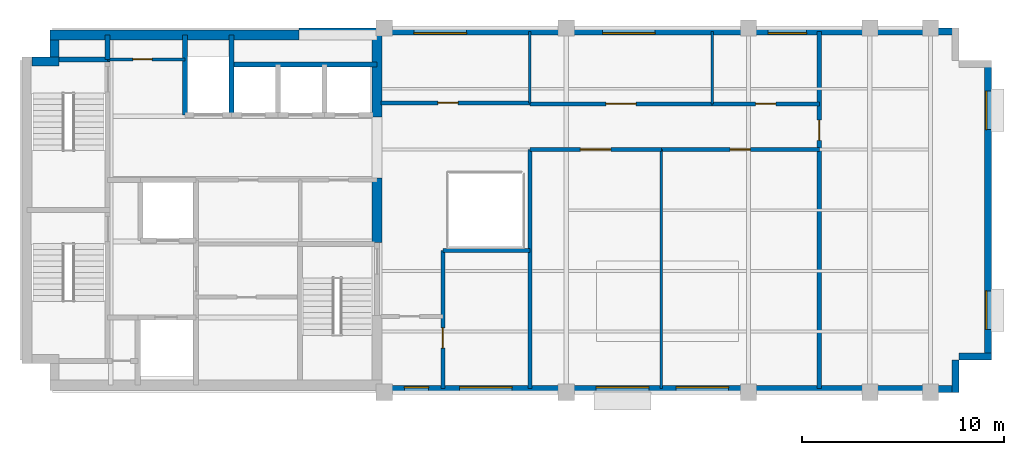
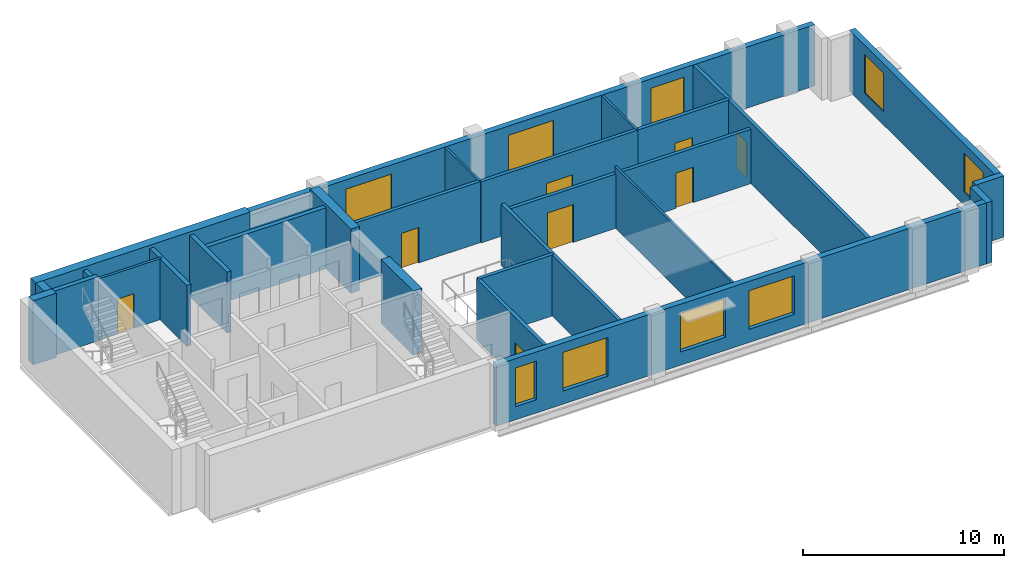
# One storey, part 3 of 5: 28 walls, 9 windows, 8 doors, 17 openings.
"""IFC4 building model written with IfcOpenShell, lengths in metres."""

from ifc_helpers import new_model, si_unit, direction, frame, frame_2d, origin, place, context, subcontext, project, spatial, rectangle, extrude, material, layer, layer_set, type_object, element, fill, save


model = new_model("IFC4")

# Units and contexts
model_context = context("Model", 3, precision=1e-05, world=origin(), true_north=direction((0.0, 1.0)))
body_context = subcontext(model_context, "Body", "Model", "MODEL_VIEW")
ifc_project = project(units=[si_unit("LENGTHUNIT", "METRE"), si_unit("AREAUNIT", "SQUARE_METRE"), si_unit("VOLUMEUNIT", "CUBIC_METRE"), si_unit("PLANEANGLEUNIT", "RADIAN"), si_unit("MASSUNIT", "GRAM", prefix="KILO")], contexts=[model_context])

# Site, building, storey
site_placement = place(None, origin())
site = spatial("IfcSite", under=ifc_project, at=site_placement, CompositionType="ELEMENT")
building_placement = place(site_placement, origin())
building = spatial("IfcBuilding", under=site, at=building_placement, Name="Mawjdan Bourse Tower", CompositionType="ELEMENT")
storey_placement = place(building_placement, frame((0.0, 0.0, 270.300048828125)))
storey = spatial("IfcBuildingStorey", under=building, at=storey_placement, Name="L66", CompositionType="ELEMENT", Elevation=270.300048828125)

# Wall, openings, windows
ifc_material_1 = material(Name="Brick Masonry Buff", Category="masonry")
ifc_layer_1 = layer(ifc_material_1, 0.340087890625)
ifc_layer_set_1 = layer_set([ifc_layer_1], Name="Brick Masonry Buff")
wall_type_1 = type_object("IfcWallType", Name="WL-BRK-SPN-340", PredefinedType="STANDARD", material=ifc_layer_set_1)
wall_1_placement = place(storey_placement, frame((23.89990234375, 3.169921875, 0.0), z_axis=(0.0, 0.0, 1.0), x_axis=(1.0, 0.0, 0.0)))
wall_1 = element("IfcWall", 1, at=wall_1_placement, inside=storey, type_object=wall_type_1, Name="L66 Exterior Brick Wall 1", PredefinedType="STANDARD", context=body_context, shape_type="SweptSolid", body=[
    extrude(rectangle(XDim=28.5, YDim=0.340087890625, at=frame_2d((14.25, 0.0))), origin(), (0.0, 0.0, 1.0), 3.71484375),
])
opening_1_placement = place(wall_1_placement, frame((10.574951171875, 0.0, 0.800048828125)))
opening_1 = element("IfcOpeningElement", 2, at=opening_1_placement, cuts=wall_1, Name="Opening W-L66-01", PredefinedType="OPENING", context=body_context, shape_type="SweptSolid", body=[
    extrude(rectangle(XDim=2.60009765625, YDim=2.35009765625, at=frame_2d((1.300048828125, 1.175048828125))), frame((0.0, 0.18017578125, 0.0), z_axis=(0.0, -1.0, 0.0), x_axis=(1.0, 0.0, 0.0)), (0.0, 0.0, 1.0), 0.360107421875),
])
opening_2_placement = place(wall_1_placement, frame((1.10009765625, 0.0, 0.800048828125)))
opening_2 = element("IfcOpeningElement", 3, at=opening_2_placement, cuts=wall_1, Name="Opening W-L66-06", PredefinedType="OPENING", context=body_context, shape_type="SweptSolid", body=[
    extrude(rectangle(XDim=1.199951171875, YDim=2.35009765625, at=frame_2d((0.60009765625, 1.175048828125))), frame((0.0, 0.18017578125, 0.0), z_axis=(0.0, -1.0, 0.0), x_axis=(1.0, 0.0, 0.0)), (0.0, 0.0, 1.0), 0.360107421875),
])
opening_3_placement = place(wall_1_placement, frame((3.82568359375, 0.0, 0.800048828125)))
opening_3 = element("IfcOpeningElement", 4, at=opening_3_placement, cuts=wall_1, Name="Opening W-L66-07", PredefinedType="OPENING", context=body_context, shape_type="SweptSolid", body=[
    extrude(rectangle(XDim=2.60009765625, YDim=2.35009765625, at=frame_2d((1.300048828125, 1.175048828125))), frame((0.0, 0.18017578125, 0.0), z_axis=(0.0, -1.0, 0.0), x_axis=(1.0, 0.0, 0.0)), (0.0, 0.0, 1.0), 0.360107421875),
])
opening_4_placement = place(wall_1_placement, frame((14.52490234375, 0.0, 0.800048828125)))
opening_4 = element("IfcOpeningElement", 5, at=opening_4_placement, cuts=wall_1, Name="Opening W-L66-08", PredefinedType="OPENING", context=body_context, shape_type="SweptSolid", body=[
    extrude(rectangle(XDim=2.60009765625, YDim=2.35009765625, at=frame_2d((1.300048828125, 1.175048828125))), frame((0.0, 0.18017578125, 0.0), z_axis=(0.0, -1.0, 0.0), x_axis=(1.0, 0.0, 0.0)), (0.0, 0.0, 1.0), 0.360107421875),
])
ifc_material_2 = material(Name="Solar-Control Clear Double Glazing", Category="glass")
window_type_1 = type_object("IfcWindowType", Name="WN-SMT-1200", PartitioningType="SINGLE_PANEL", PredefinedType="WINDOW", material=ifc_material_2)
window_1_placement = place(opening_2_placement, origin())
window_1 = element("IfcWindow", 6, at=window_1_placement, inside=storey, type_object=window_type_1, Name="L66 Deep-Set Masonry Window W-L66-06", OverallHeight=2.35009765625, OverallWidth=1.199951171875, PartitioningType="SINGLE_PANEL", PredefinedType="WINDOW", context=body_context, shape_type="SweptSolid", body=[
    extrude(rectangle(XDim=1.199951171875, YDim=2.35009765625, at=frame_2d((0.60009765625, 1.175048828125))), frame((0.0, 0.110107421875, 0.0), z_axis=(0.0, -1.0, 0.0), x_axis=(1.0, 0.0, 0.0)), (0.0, 0.0, 1.0), 0.06005859375),
])
fill(opening_2, window_1)
window_type_2 = type_object("IfcWindowType", Name="WN-SMT-2600", PartitioningType="SINGLE_PANEL", PredefinedType="WINDOW", material=ifc_material_2)
window_2_placement = place(opening_1_placement, origin())
window_2 = element("IfcWindow", 7, at=window_2_placement, inside=storey, type_object=window_type_2, Name="L66 Deep-Set Masonry Window W-L66-01", OverallHeight=2.35009765625, OverallWidth=2.60009765625, PartitioningType="SINGLE_PANEL", PredefinedType="WINDOW", context=body_context, shape_type="SweptSolid", body=[
    extrude(rectangle(XDim=2.60009765625, YDim=2.35009765625, at=frame_2d((1.300048828125, 1.175048828125))), frame((0.0, 0.110107421875, 0.0), z_axis=(0.0, -1.0, 0.0), x_axis=(1.0, 0.0, 0.0)), (0.0, 0.0, 1.0), 0.06005859375),
])
fill(opening_1, window_2)
window_3_placement = place(opening_3_placement, origin())
window_3 = element("IfcWindow", 8, at=window_3_placement, inside=storey, type_object=window_type_2, Name="L66 Deep-Set Masonry Window W-L66-07", OverallHeight=2.35009765625, OverallWidth=2.60009765625, PartitioningType="SINGLE_PANEL", PredefinedType="WINDOW", context=body_context, shape_type="SweptSolid", body=[
    extrude(rectangle(XDim=2.60009765625, YDim=2.35009765625, at=frame_2d((1.300048828125, 1.175048828125))), frame((0.0, 0.110107421875, 0.0), z_axis=(0.0, -1.0, 0.0), x_axis=(1.0, 0.0, 0.0)), (0.0, 0.0, 1.0), 0.06005859375),
])
fill(opening_3, window_3)
window_4_placement = place(opening_4_placement, origin())
window_4 = element("IfcWindow", 9, at=window_4_placement, inside=storey, type_object=window_type_2, Name="L66 Deep-Set Masonry Window W-L66-08", OverallHeight=2.35009765625, OverallWidth=2.60009765625, PartitioningType="SINGLE_PANEL", PredefinedType="WINDOW", context=body_context, shape_type="SweptSolid", body=[
    extrude(rectangle(XDim=2.60009765625, YDim=2.35009765625, at=frame_2d((1.300048828125, 1.175048828125))), frame((0.0, 0.110107421875, 0.0), z_axis=(0.0, -1.0, 0.0), x_axis=(1.0, 0.0, 0.0)), (0.0, 0.0, 1.0), 0.06005859375),
])
fill(opening_4, window_4)

# Walls
for number, where, z_axis, x_axis, name in (
    (10, (52.22998046875, 3.0, 0.0), (0.0, 0.0, 1.0), (0.0, 1.0, 0.0), "L66 Exterior Brick Wall 2"),
    (11, (52.39990234375, 4.77001953125, 0.0), (0.0, 0.0, 1.0), (1.0, 0.0, 0.0), "L66 Exterior Brick Wall 3"),
):
    element("IfcWall", number, at=place(storey_placement, frame(where, z_axis=z_axis, x_axis=x_axis)), inside=storey, type_object=wall_type_1, Name=name, PredefinedType="STANDARD", context=body_context, shape_type="SweptSolid", body=[
        extrude(rectangle(XDim=1.60009765625, YDim=0.340087890625, at=frame_2d((0.800048828125, 0.0))), origin(), (0.0, 0.0, 1.0), 3.71484375),
    ])

# Wall, openings, windows
wall_2_placement = place(storey_placement, frame((53.830078125, 4.60009765625, 0.0), z_axis=(0.0, 0.0, 1.0), x_axis=(0.0, 1.0, 0.0)))
wall_2 = element("IfcWall", 12, at=wall_2_placement, inside=storey, type_object=wall_type_1, Name="L66 Exterior Brick Wall 4", PredefinedType="STANDARD", context=body_context, shape_type="SweptSolid", body=[
    extrude(rectangle(XDim=14.7998046875, YDim=0.340087890625, at=frame_2d((7.39990234375, 0.0))), origin(), (0.0, 0.0, 1.0), 3.71484375),
])
opening_5_placement = place(wall_2_placement, frame((1.5166015625, 0.0, 0.800048828125)))
opening_5 = element("IfcOpeningElement", 13, at=opening_5_placement, cuts=wall_2, Name="Opening W-L66-02", PredefinedType="OPENING", context=body_context, shape_type="SweptSolid", body=[
    extrude(rectangle(XDim=1.89990234375, YDim=2.35009765625, at=frame_2d((0.949951171875, 1.175048828125))), frame((0.0, 0.18017578125, 0.0), z_axis=(0.0, -1.0, 0.0), x_axis=(1.0, 0.0, 0.0)), (0.0, 0.0, 1.0), 0.360107421875),
])
opening_6_placement = place(wall_2_placement, frame((11.38330078125, 0.0, 0.800048828125)))
opening_6 = element("IfcOpeningElement", 14, at=opening_6_placement, cuts=wall_2, Name="Opening W-L66-03", PredefinedType="OPENING", context=body_context, shape_type="SweptSolid", body=[
    extrude(rectangle(XDim=1.89990234375, YDim=2.35009765625, at=frame_2d((0.949951171875, 1.175048828125))), frame((0.0, 0.18017578125, 0.0), z_axis=(0.0, -1.0, 0.0), x_axis=(1.0, 0.0, 0.0)), (0.0, 0.0, 1.0), 0.360107421875),
])
window_type_3 = type_object("IfcWindowType", Name="WN-SMT-1900", PartitioningType="SINGLE_PANEL", PredefinedType="WINDOW", material=ifc_material_2)
window_5_placement = place(opening_5_placement, origin())
window_5 = element("IfcWindow", 15, at=window_5_placement, inside=storey, type_object=window_type_3, Name="L66 Deep-Set Masonry Window W-L66-02", OverallHeight=2.35009765625, OverallWidth=1.89990234375, PartitioningType="SINGLE_PANEL", PredefinedType="WINDOW", context=body_context, shape_type="SweptSolid", body=[
    extrude(rectangle(XDim=1.89990234375, YDim=2.35009765625, at=frame_2d((0.949951171875, 1.175048828125))), frame((0.0, 0.110107421875, 0.0), z_axis=(0.0, -1.0, 0.0), x_axis=(1.0, 0.0, 0.0)), (0.0, 0.0, 1.0), 0.06005859375),
])
fill(opening_5, window_5)
window_6_placement = place(opening_6_placement, origin())
window_6 = element("IfcWindow", 16, at=window_6_placement, inside=storey, type_object=window_type_3, Name="L66 Deep-Set Masonry Window W-L66-03", OverallHeight=2.35009765625, OverallWidth=1.89990234375, PartitioningType="SINGLE_PANEL", PredefinedType="WINDOW", context=body_context, shape_type="SweptSolid", body=[
    extrude(rectangle(XDim=1.89990234375, YDim=2.35009765625, at=frame_2d((0.949951171875, 1.175048828125))), frame((0.0, 0.110107421875, 0.0), z_axis=(0.0, -1.0, 0.0), x_axis=(1.0, 0.0, 0.0)), (0.0, 0.0, 1.0), 0.06005859375),
])
fill(opening_6, window_6)

wall_3_placement = place(storey_placement, frame((52.39990234375, 20.830078125, 0.0), z_axis=(0.0, 0.0, 1.0), x_axis=(-1.0, 0.0, 0.0)))
wall_3 = element("IfcWall", 17, at=wall_3_placement, inside=storey, type_object=wall_type_1, Name="L66 Exterior Brick Wall 7", PredefinedType="STANDARD", context=body_context, shape_type="SweptSolid", body=[
    extrude(rectangle(XDim=32.619873046875, YDim=0.340087890625, at=frame_2d((16.31005859375, 0.0))), origin(), (0.0, 0.0, 1.0), 3.71484375),
])
opening_7_placement = place(wall_3_placement, frame((15.010009765625, 0.0, 0.800048828125)))
opening_7 = element("IfcOpeningElement", 18, at=opening_7_placement, cuts=wall_3, Name="Opening W-L66-04", PredefinedType="OPENING", context=body_context, shape_type="SweptSolid", body=[
    extrude(rectangle(XDim=2.60009765625, YDim=2.35009765625, at=frame_2d((1.300048828125, 1.175048828125))), frame((0.0, 0.18017578125, 0.0), z_axis=(0.0, -1.0, 0.0), x_axis=(1.0, 0.0, 0.0)), (0.0, 0.0, 1.0), 0.360107421875),
])
opening_8_placement = place(wall_3_placement, frame((24.330078125, 0.0, 0.800048828125)))
opening_8 = element("IfcOpeningElement", 19, at=opening_8_placement, cuts=wall_3, Name="Opening W-L66-05", PredefinedType="OPENING", context=body_context, shape_type="SweptSolid", body=[
    extrude(rectangle(XDim=2.60009765625, YDim=2.35009765625, at=frame_2d((1.300048828125, 1.175048828125))), frame((0.0, 0.18017578125, 0.0), z_axis=(0.0, -1.0, 0.0), x_axis=(1.0, 0.0, 0.0)), (0.0, 0.0, 1.0), 0.360107421875),
])
opening_9_placement = place(wall_3_placement, frame((7.52490234375, 0.0, 0.800048828125)))
opening_9 = element("IfcOpeningElement", 20, at=opening_9_placement, cuts=wall_3, Name="Opening W-L66-09", PredefinedType="OPENING", context=body_context, shape_type="SweptSolid", body=[
    extrude(rectangle(XDim=1.89990234375, YDim=2.35009765625, at=frame_2d((0.949951171875, 1.175048828125))), frame((0.0, 0.18017578125, 0.0), z_axis=(0.0, -1.0, 0.0), x_axis=(1.0, 0.0, 0.0)), (0.0, 0.0, 1.0), 0.360107421875),
])
window_7_placement = place(opening_9_placement, origin())
window_7 = element("IfcWindow", 21, at=window_7_placement, inside=storey, type_object=window_type_3, Name="L66 Deep-Set Masonry Window W-L66-09", OverallHeight=2.35009765625, OverallWidth=1.89990234375, PartitioningType="SINGLE_PANEL", PredefinedType="WINDOW", context=body_context, shape_type="SweptSolid", body=[
    extrude(rectangle(XDim=1.89990234375, YDim=2.35009765625, at=frame_2d((0.949951171875, 1.175048828125))), frame((0.0, 0.110107421875, 0.0), z_axis=(0.0, -1.0, 0.0), x_axis=(1.0, 0.0, 0.0)), (0.0, 0.0, 1.0), 0.06005859375),
])
fill(opening_9, window_7)
window_8_placement = place(opening_7_placement, origin())
window_8 = element("IfcWindow", 22, at=window_8_placement, inside=storey, type_object=window_type_2, Name="L66 Deep-Set Masonry Window W-L66-04", OverallHeight=2.35009765625, OverallWidth=2.60009765625, PartitioningType="SINGLE_PANEL", PredefinedType="WINDOW", context=body_context, shape_type="SweptSolid", body=[
    extrude(rectangle(XDim=2.60009765625, YDim=2.35009765625, at=frame_2d((1.300048828125, 1.175048828125))), frame((0.0, 0.110107421875, 0.0), z_axis=(0.0, -1.0, 0.0), x_axis=(1.0, 0.0, 0.0)), (0.0, 0.0, 1.0), 0.06005859375),
])
fill(opening_7, window_8)
window_9_placement = place(opening_8_placement, origin())
window_9 = element("IfcWindow", 23, at=window_9_placement, inside=storey, type_object=window_type_2, Name="L66 Deep-Set Masonry Window W-L66-05", OverallHeight=2.35009765625, OverallWidth=2.60009765625, PartitioningType="SINGLE_PANEL", PredefinedType="WINDOW", context=body_context, shape_type="SweptSolid", body=[
    extrude(rectangle(XDim=2.60009765625, YDim=2.35009765625, at=frame_2d((1.300048828125, 1.175048828125))), frame((0.0, 0.110107421875, 0.0), z_axis=(0.0, -1.0, 0.0), x_axis=(1.0, 0.0, 0.0)), (0.0, 0.0, 1.0), 0.06005859375),
])
fill(opening_8, window_9)

# Wall, opening, door
ifc_material_3 = material(Name="Gypsum Fireboard Assembly")
ifc_layer_2 = layer(ifc_material_3, 0.199951171875)
ifc_layer_set_2 = layer_set([ifc_layer_2], Name="Gypsum Fireboard Assembly")
wall_type_2 = type_object("IfcWallType", Name="WL-CMP-200", PredefinedType="PARTITIONING", material=ifc_layer_set_2)
wall_4_placement = place(storey_placement, frame((26.89990234375, 3.179931640625, 0.0), z_axis=(0.0, 0.0, 1.0), x_axis=(0.0, 1.0, 0.0)))
wall_4 = element("IfcWall", 24, at=wall_4_placement, inside=storey, type_object=wall_type_2, Name="L66 Summit South Atrium Suite West Wall", PredefinedType="PARTITIONING", context=body_context, shape_type="SweptSolid", body=[
    extrude(rectangle(XDim=6.820068359375, YDim=0.199951171875, at=frame_2d((3.41015625, 0.0))), origin(), (0.0, 0.0, 1.0), 3.704833984375),
])
opening_10_placement = place(wall_4_placement, frame((2.0, 0.0, 0.0)))
opening_10 = element("IfcOpeningElement", 25, at=opening_10_placement, cuts=wall_4, Name="Opening D-L66-18", PredefinedType="OPENING", context=body_context, shape_type="SweptSolid", body=[
    extrude(rectangle(XDim=1.0, YDim=2.14990234375, at=frame_2d((0.5, 1.074951171875))), frame((0.0, 0.10986328125, 0.0), z_axis=(0.0, -1.0, 0.0), x_axis=(1.0, 0.0, 0.0)), (0.0, 0.0, 1.0), 0.219970703125),
])
ifc_material_4 = material(Name="Hardwood Acoustic Leaf", Category="wood")
door_type_1 = type_object("IfcDoorType", Name="DR-OFC-1000", OperationType="NOTDEFINED", PredefinedType="DOOR", material=ifc_material_4)
door_1_placement = place(opening_10_placement, origin())
door_1 = element("IfcDoor", 26, at=door_1_placement, inside=storey, type_object=door_type_1, Name="L66 Summit South Atrium Suite Door D-L66-18", OperationType="SINGLE_SWING_RIGHT", OverallHeight=2.14990234375, OverallWidth=1.0, PredefinedType="DOOR", context=body_context, shape_type="SweptSolid", body=[
    extrude(rectangle(XDim=1.0, YDim=2.14990234375, at=frame_2d((0.5, 1.074951171875))), frame((0.0, 0.02490234375, 0.0), z_axis=(0.0, -1.0, 0.0), x_axis=(1.0, 0.0, 0.0)), (0.0, 0.0, 1.0), 0.050048828125),
])
fill(opening_10, door_1)

# Walls
wall_5_placement = place(storey_placement, frame((26.89990234375, 10.0, 0.0), z_axis=(0.0, 0.0, 1.0), x_axis=(1.0, 0.0, 0.0)))
element("IfcWall", 27, at=wall_5_placement, inside=storey, type_object=wall_type_2, Name="L66 Summit South Atrium Suite North Wall", PredefinedType="PARTITIONING", context=body_context, shape_type="SweptSolid", body=[
    extrude(rectangle(XDim=4.300048828125, YDim=0.199951171875, at=frame_2d((2.14990234375, 0.0))), origin(), (0.0, 0.0, 1.0), 3.704833984375),
])
wall_6_placement = place(storey_placement, frame((31.199951171875, 3.179931640625, 0.0), z_axis=(0.0, 0.0, 1.0), x_axis=(0.0, 1.0, 0.0)))
element("IfcWall", 28, at=wall_6_placement, inside=storey, type_object=wall_type_2, Name="L66 Summit South Atrium Suite East Wall", PredefinedType="PARTITIONING", context=body_context, shape_type="SweptSolid", body=[
    extrude(rectangle(XDim=11.820068359375, YDim=0.199951171875, at=frame_2d((5.91015625, 0.0))), origin(), (0.0, 0.0, 1.0), 3.704833984375),
])

# Wall, opening, door
wall_7_placement = place(storey_placement, frame((23.85009765625, 17.300048828125, 0.0), z_axis=(0.0, 0.0, 1.0), x_axis=(1.0, 0.0, 0.0)))
wall_7 = element("IfcWall", 29, at=wall_7_placement, inside=storey, type_object=wall_type_2, Name="L66 Summit Throat North Wall", PredefinedType="PARTITIONING", context=body_context, shape_type="SweptSolid", body=[
    extrude(rectangle(XDim=7.349853515625, YDim=0.199951171875, at=frame_2d((3.6748046875, 0.0))), origin(), (0.0, 0.0, 1.0), 3.704833984375),
])
opening_11_placement = place(wall_7_placement, frame((2.800048828125, 0.0, 0.0)))
opening_11 = element("IfcOpeningElement", 30, at=opening_11_placement, cuts=wall_7, Name="Opening D-L66-19", PredefinedType="OPENING", context=body_context, shape_type="SweptSolid", body=[
    extrude(rectangle(XDim=1.0, YDim=2.14990234375, at=frame_2d((0.5, 1.074951171875))), frame((0.0, 0.10986328125, 0.0), z_axis=(0.0, -1.0, 0.0), x_axis=(1.0, 0.0, 0.0)), (0.0, 0.0, 1.0), 0.219970703125),
])
door_2_placement = place(opening_11_placement, origin())
door_2 = element("IfcDoor", 31, at=door_2_placement, inside=storey, type_object=door_type_1, Name="L66 Summit Throat North Room Door D-L66-19", OperationType="SINGLE_SWING_LEFT", OverallHeight=2.14990234375, OverallWidth=1.0, PredefinedType="DOOR", context=body_context, shape_type="SweptSolid", body=[
    extrude(rectangle(XDim=1.0, YDim=2.14990234375, at=frame_2d((0.5, 1.074951171875))), frame((0.0, 0.02490234375, 0.0), z_axis=(0.0, -1.0, 0.0), x_axis=(1.0, 0.0, 0.0)), (0.0, 0.0, 1.0), 0.050048828125),
])
fill(opening_11, door_2)

wall_8_placement = place(storey_placement, frame((31.199951171875, 15.0, 0.0), z_axis=(0.0, 0.0, 1.0), x_axis=(1.0, 0.0, 0.0)))
wall_8 = element("IfcWall", 32, at=wall_8_placement, inside=storey, type_object=wall_type_2, Name="L66 Board of Governors Chamber Corridor Wall", PredefinedType="PARTITIONING", context=body_context, shape_type="SweptSolid", body=[
    extrude(rectangle(XDim=6.5, YDim=0.199951171875, at=frame_2d((3.25, 0.0))), origin(), (0.0, 0.0, 1.0), 3.301025390625),
])
opening_12_placement = place(wall_8_placement, frame((2.5, 0.0, 0.0)))
opening_12 = element("IfcOpeningElement", 33, at=opening_12_placement, cuts=wall_8, Name="Opening D-L66-20", PredefinedType="OPENING", context=body_context, shape_type="SweptSolid", body=[
    extrude(rectangle(XDim=1.5, YDim=2.300048828125, at=frame_2d((0.75, 1.14990234375))), frame((0.0, 0.10986328125, 0.0), z_axis=(0.0, -1.0, 0.0), x_axis=(1.0, 0.0, 0.0)), (0.0, 0.0, 1.0), 0.219970703125),
])
ifc_material_5 = material(Name="Acoustic Glazed Timber", Category="wood")
door_type_2 = type_object("IfcDoorType", Name="DR-CNF-1500", OperationType="DOUBLE_DOOR_SINGLE_SWING", PredefinedType="DOOR", material=ifc_material_5)
door_3_placement = place(opening_12_placement, origin())
door_3 = element("IfcDoor", 34, at=door_3_placement, inside=storey, type_object=door_type_2, Name="L66 Board of Governors Chamber Door D-L66-20", OperationType="DOUBLE_DOOR_SINGLE_SWING", OverallHeight=2.300048828125, OverallWidth=1.5, PredefinedType="DOOR", context=body_context, shape_type="SweptSolid", body=[
    extrude(rectangle(XDim=1.5, YDim=2.300048828125, at=frame_2d((0.75, 1.14990234375))), frame((0.0, 0.02490234375, 0.0), z_axis=(0.0, -1.0, 0.0), x_axis=(1.0, 0.0, 0.0)), (0.0, 0.0, 1.0), 0.050048828125),
])
fill(opening_12, door_3)

wall_9_placement = place(storey_placement, frame((37.699951171875, 15.0, 0.0), z_axis=(0.0, 0.0, 1.0), x_axis=(1.0, 0.0, 0.0)))
wall_9 = element("IfcWall", 35, at=wall_9_placement, inside=storey, type_object=wall_type_2, Name="L66 Executive Office Corridor Wall", PredefinedType="PARTITIONING", context=body_context, shape_type="SweptSolid", body=[
    extrude(rectangle(XDim=7.800048828125, YDim=0.199951171875, at=frame_2d((3.89990234375, 0.0))), origin(), (0.0, 0.0, 1.0), 3.301025390625),
])
opening_13_placement = place(wall_9_placement, frame((3.39990234375, 0.0, 0.0)))
opening_13 = element("IfcOpeningElement", 36, at=opening_13_placement, cuts=wall_9, Name="Opening D-L66-21", PredefinedType="OPENING", context=body_context, shape_type="SweptSolid", body=[
    extrude(rectangle(XDim=1.0, YDim=2.14990234375, at=frame_2d((0.5, 1.074951171875))), frame((0.0, 0.10986328125, 0.0), z_axis=(0.0, -1.0, 0.0), x_axis=(1.0, 0.0, 0.0)), (0.0, 0.0, 1.0), 0.219970703125),
])
door_4_placement = place(opening_13_placement, origin())
door_4 = element("IfcDoor", 37, at=door_4_placement, inside=storey, type_object=door_type_1, Name="L66 Executive Office Door D-L66-21", OperationType="SINGLE_SWING_RIGHT", OverallHeight=2.14990234375, OverallWidth=1.0, PredefinedType="DOOR", context=body_context, shape_type="SweptSolid", body=[
    extrude(rectangle(XDim=1.0, YDim=2.14990234375, at=frame_2d((0.5, 1.074951171875))), frame((0.0, 0.02490234375, 0.0), z_axis=(0.0, -1.0, 0.0), x_axis=(1.0, 0.0, 0.0)), (0.0, 0.0, 1.0), 0.050048828125),
])
fill(opening_13, door_4)

wall_10_placement = place(storey_placement, frame((31.199951171875, 17.25, 0.0), z_axis=(0.0, 0.0, 1.0), x_axis=(1.0, 0.0, 0.0)))
wall_10 = element("IfcWall", 38, at=wall_10_placement, inside=storey, type_object=wall_type_2, Name="L66 Conference Room Corridor Wall", PredefinedType="PARTITIONING", context=body_context, shape_type="SweptSolid", body=[
    extrude(rectangle(XDim=9.0, YDim=0.199951171875, at=frame_2d((4.5, 0.0))), origin(), (0.0, 0.0, 1.0), 3.704833984375),
])
opening_14_placement = place(wall_10_placement, frame((3.75, 0.0, 0.0)))
opening_14 = element("IfcOpeningElement", 39, at=opening_14_placement, cuts=wall_10, Name="Opening D-L66-22", PredefinedType="OPENING", context=body_context, shape_type="SweptSolid", body=[
    extrude(rectangle(XDim=1.5, YDim=2.300048828125, at=frame_2d((0.75, 1.14990234375))), frame((0.0, 0.10986328125, 0.0), z_axis=(0.0, -1.0, 0.0), x_axis=(1.0, 0.0, 0.0)), (0.0, 0.0, 1.0), 0.219970703125),
])
door_5_placement = place(opening_14_placement, origin())
door_5 = element("IfcDoor", 40, at=door_5_placement, inside=storey, type_object=door_type_2, Name="L66 Conference Room Door D-L66-22", OperationType="DOUBLE_DOOR_SINGLE_SWING", OverallHeight=2.300048828125, OverallWidth=1.5, PredefinedType="DOOR", context=body_context, shape_type="SweptSolid", body=[
    extrude(rectangle(XDim=1.5, YDim=2.300048828125, at=frame_2d((0.75, 1.14990234375))), frame((0.0, 0.02490234375, 0.0), z_axis=(0.0, -1.0, 0.0), x_axis=(1.0, 0.0, 0.0)), (0.0, 0.0, 1.0), 0.050048828125),
])
fill(opening_14, door_5)

wall_11_placement = place(storey_placement, frame((40.199951171875, 17.25, 0.0), z_axis=(0.0, 0.0, 1.0), x_axis=(1.0, 0.0, 0.0)))
wall_11 = element("IfcWall", 41, at=wall_11_placement, inside=storey, type_object=wall_type_2, Name="L66 General Counsel Office Corridor Wall", PredefinedType="PARTITIONING", context=body_context, shape_type="SweptSolid", body=[
    extrude(rectangle(XDim=5.300048828125, YDim=0.199951171875, at=frame_2d((2.64990234375, 0.0))), origin(), (0.0, 0.0, 1.0), 3.704833984375),
])
opening_15_placement = place(wall_11_placement, frame((2.14990234375, 0.0, 0.0)))
opening_15 = element("IfcOpeningElement", 42, at=opening_15_placement, cuts=wall_11, Name="Opening D-L66-23", PredefinedType="OPENING", context=body_context, shape_type="SweptSolid", body=[
    extrude(rectangle(XDim=1.0, YDim=2.14990234375, at=frame_2d((0.5, 1.074951171875))), frame((0.0, 0.10986328125, 0.0), z_axis=(0.0, -1.0, 0.0), x_axis=(1.0, 0.0, 0.0)), (0.0, 0.0, 1.0), 0.219970703125),
])
door_6_placement = place(opening_15_placement, origin())
door_6 = element("IfcDoor", 43, at=door_6_placement, inside=storey, type_object=door_type_1, Name="L66 General Counsel Office Door D-L66-23", OperationType="SINGLE_SWING_LEFT", OverallHeight=2.14990234375, OverallWidth=1.0, PredefinedType="DOOR", context=body_context, shape_type="SweptSolid", body=[
    extrude(rectangle(XDim=1.0, YDim=2.14990234375, at=frame_2d((0.5, 1.074951171875))), frame((0.0, 0.02490234375, 0.0), z_axis=(0.0, -1.0, 0.0), x_axis=(1.0, 0.0, 0.0)), (0.0, 0.0, 1.0), 0.050048828125),
])
fill(opening_15, door_6)

wall_12_placement = place(storey_placement, frame((45.5, 3.179931640625, 0.0), z_axis=(0.0, 0.0, 1.0), x_axis=(0.0, 1.0, 0.0)))
wall_12 = element("IfcWall", 44, at=wall_12_placement, inside=storey, type_object=wall_type_2, Name="L66 East Tip Full Cross Wall", PredefinedType="PARTITIONING", context=body_context, shape_type="SweptSolid", body=[
    extrude(rectangle(XDim=17.64013671875, YDim=0.199951171875, at=frame_2d((8.820068359375, 0.0))), origin(), (0.0, 0.0, 1.0), 3.704833984375),
])
opening_16_placement = place(wall_12_placement, frame((12.27490234375, 0.0, 0.0)))
opening_16 = element("IfcOpeningElement", 45, at=opening_16_placement, cuts=wall_12, Name="Opening D-L66-24", PredefinedType="OPENING", context=body_context, shape_type="SweptSolid", body=[
    extrude(rectangle(XDim=1.0, YDim=2.14990234375, at=frame_2d((0.5, 1.074951171875))), frame((0.0, 0.10986328125, 0.0), z_axis=(0.0, -1.0, 0.0), x_axis=(1.0, 0.0, 0.0)), (0.0, 0.0, 1.0), 0.219970703125),
])
door_7_placement = place(opening_16_placement, origin())
door_7 = element("IfcDoor", 46, at=door_7_placement, inside=storey, type_object=door_type_1, Name="L66 East Tip Hall Door D-L66-24", OperationType="SINGLE_SWING_RIGHT", OverallHeight=2.14990234375, OverallWidth=1.0, PredefinedType="DOOR", context=body_context, shape_type="SweptSolid", body=[
    extrude(rectangle(XDim=1.0, YDim=2.14990234375, at=frame_2d((0.5, 1.074951171875))), frame((0.0, 0.02490234375, 0.0), z_axis=(0.0, -1.0, 0.0), x_axis=(1.0, 0.0, 0.0)), (0.0, 0.0, 1.0), 0.050048828125),
])
fill(opening_16, door_7)

# Walls
ifc_material_6 = material(Name="Concrete C60/75", Category="concrete")
ifc_layer_3 = layer(ifc_material_6, 0.449951171875)
ifc_layer_set_3 = layer_set([ifc_layer_3], Name="Concrete C60/75")
wall_type_3 = type_object("IfcWallType", Name="WL-CORE-450", PredefinedType="SHEAR", material=ifc_layer_set_3)
wall_13_placement = place(storey_placement, frame((6.60009765625, 19.35009765625, 0.0), z_axis=(0.0, 0.0, 1.0), x_axis=(1.0, 0.0, 0.0)))
element("IfcWall", 47, at=wall_13_placement, inside=storey, type_object=wall_type_3, Name="L66 Rear Core Shear Wall NW-X", PredefinedType="SHEAR", context=body_context, shape_type="SweptSolid", body=[
    extrude(rectangle(XDim=1.324951171875, YDim=0.449951171875, at=frame_2d((0.66259765625, 0.0))), origin(), (0.0, 0.0, 1.0), 3.89990234375),
])
wall_14_placement = place(storey_placement, frame((7.699951171875, 19.574951171875, 0.0), z_axis=(0.0, 0.0, 1.0), x_axis=(0.0, 1.0, 0.0)))
element("IfcWall", 48, at=wall_14_placement, inside=storey, type_object=wall_type_3, Name="L66 Rear Core Shear Wall NW-Y", PredefinedType="SHEAR", context=body_context, shape_type="SweptSolid", body=[
    extrude(rectangle(XDim=0.824951171875, YDim=0.449951171875, at=frame_2d((0.41259765625, 0.0))), origin(), (0.0, 0.0, 1.0), 3.89990234375),
])
ifc_layer_4 = layer(ifc_material_6, 0.5)
ifc_layer_set_4 = layer_set([ifc_layer_4], Name="Concrete C60/75")
wall_type_4 = type_object("IfcWallType", Name="WL-CORE-500", PredefinedType="SHEAR", material=ifc_layer_set_4)
wall_15_placement = place(storey_placement, frame((7.47509765625, 20.64990234375, 0.0), z_axis=(0.0, 0.0, 1.0), x_axis=(1.0, 0.0, 0.0)))
element("IfcWall", 49, at=wall_15_placement, inside=storey, type_object=wall_type_4, Name="L66 Rear Core Shear Wall N", PredefinedType="SHEAR", context=body_context, shape_type="SweptSolid", body=[
    extrude(rectangle(XDim=12.324951171875, YDim=0.5, at=frame_2d((6.16259765625, 0.0))), origin(), (0.0, 0.0, 1.0), 3.89990234375),
])
wall_16_placement = place(storey_placement, frame((23.64990234375, 10.39990234375, 0.0), z_axis=(0.0, 0.0, 1.0), x_axis=(0.0, 1.0, 0.0)))
element("IfcWall", 50, at=wall_16_placement, inside=storey, type_object=wall_type_4, Name="L66 Rear Core Shear Wall E2", PredefinedType="SHEAR", context=body_context, shape_type="SweptSolid", body=[
    extrude(rectangle(XDim=3.2001953125, YDim=0.5, at=frame_2d((1.60009765625, 0.0))), origin(), (0.0, 0.0, 1.0), 3.89990234375),
])
wall_17_placement = place(storey_placement, frame((23.64990234375, 16.60009765625, 0.0), z_axis=(0.0, 0.0, 1.0), x_axis=(0.0, 1.0, 0.0)))
element("IfcWall", 51, at=wall_17_placement, inside=storey, type_object=wall_type_4, Name="L66 Rear Core Shear Wall E3", PredefinedType="SHEAR", context=body_context, shape_type="SweptSolid", body=[
    extrude(rectangle(XDim=4.0498046875, YDim=0.5, at=frame_2d((2.02490234375, 0.0))), origin(), (0.0, 0.0, 1.0), 3.89990234375),
])
ifc_material_7 = material(Name="Gypsum Partition")
ifc_layer_5 = layer(ifc_material_7, 0.125)
ifc_layer_set_5 = layer_set([ifc_layer_5], Name="Gypsum Partition")
wall_type_5 = type_object("IfcWallType", Name="WL-PRT-125", PredefinedType="PARTITIONING", material=ifc_layer_set_5)
wall_18_placement = place(storey_placement, frame((31.199951171875, 17.300048828125, 0.0), z_axis=(0.0, 0.0, 1.0), x_axis=(0.0, 1.0, 0.0)))
element("IfcWall", 52, at=wall_18_placement, inside=storey, type_object=wall_type_5, Name="L66 Summit Throat North Return", PredefinedType="PARTITIONING", context=body_context, shape_type="SweptSolid", body=[
    extrude(rectangle(XDim=3.52001953125, YDim=0.125, at=frame_2d((1.760009765625, 0.0))), origin(), (0.0, 0.0, 1.0), 3.704833984375),
])
wall_19_placement = place(storey_placement, frame((37.699951171875, 3.179931640625, 0.0), z_axis=(0.0, 0.0, 1.0), x_axis=(0.0, 1.0, 0.0)))
element("IfcWall", 53, at=wall_19_placement, inside=storey, type_object=wall_type_5, Name="L66 Executive Office Partition", PredefinedType="PARTITIONING", context=body_context, shape_type="SweptSolid", body=[
    extrude(rectangle(XDim=11.820068359375, YDim=0.125, at=frame_2d((5.91015625, 0.0))), origin(), (0.0, 0.0, 1.0), 3.704833984375),
])
wall_20_placement = place(storey_placement, frame((40.199951171875, 17.25, 0.0), z_axis=(0.0, 0.0, 1.0), x_axis=(0.0, 1.0, 0.0)))
element("IfcWall", 54, at=wall_20_placement, inside=storey, type_object=wall_type_5, Name="L66 General Counsel Office Partition", PredefinedType="PARTITIONING", context=body_context, shape_type="SweptSolid", body=[
    extrude(rectangle(XDim=3.570068359375, YDim=0.125, at=frame_2d((1.78515625, 0.0))), origin(), (0.0, 0.0, 1.0), 3.704833984375),
])

# Wall, opening, door
ifc_material_8 = material(Name="Gypsum Acoustic Partition")
ifc_layer_6 = layer(ifc_material_8, 0.14990234375)
ifc_layer_set_6 = layer_set([ifc_layer_6], Name="Gypsum Acoustic Partition")
wall_type_6 = type_object("IfcWallType", Name="WL-PRT-150", PredefinedType="PARTITIONING", material=ifc_layer_set_6)
wall_21_placement = place(storey_placement, frame((10.330078125, 19.449951171875, 0.0), z_axis=(0.0, 0.0, 1.0), x_axis=(1.0, 0.0, 0.0)))
wall_21 = element("IfcWall", 55, at=wall_21_placement, inside=storey, type_object=wall_type_6, Name="L66 Housekeeping South Wall", PredefinedType="PARTITIONING", context=body_context, shape_type="SweptSolid", body=[
    extrude(rectangle(XDim=3.81982421875, YDim=0.14990234375, at=frame_2d((1.909912109375, 0.0))), origin(), (0.0, 0.0, 1.0), 3.704833984375),
])
opening_17_placement = place(wall_21_placement, frame((1.25, 0.0, 0.0)))
opening_17 = element("IfcOpeningElement", 56, at=opening_17_placement, cuts=wall_21, Name="Opening D-L66-16", PredefinedType="OPENING", context=body_context, shape_type="SweptSolid", body=[
    extrude(rectangle(XDim=0.949951171875, YDim=2.10009765625, at=frame_2d((0.47509765625, 1.050048828125))), frame((0.0, 0.0849609375, 0.0), z_axis=(0.0, -1.0, 0.0), x_axis=(1.0, 0.0, 0.0)), (0.0, 0.0, 1.0), 0.169921875),
])
ifc_material_9 = material(Name="Moisture-Resistant Laminate Timber", Category="wood")
door_type_3 = type_object("IfcDoorType", Name="DR-WET-0950", OperationType="NOTDEFINED", PredefinedType="DOOR", material=ifc_material_9)
door_8_placement = place(opening_17_placement, origin())
door_8 = element("IfcDoor", 57, at=door_8_placement, inside=storey, type_object=door_type_3, Name="L66 Housekeeping Closet Door D-L66-16", OperationType="SINGLE_SWING_RIGHT", OverallHeight=2.10009765625, OverallWidth=0.949951171875, PredefinedType="DOOR", context=body_context, shape_type="SweptSolid", body=[
    extrude(rectangle(XDim=0.949951171875, YDim=2.10009765625, at=frame_2d((0.47509765625, 1.050048828125))), frame((0.0, 0.02490234375, 0.0), z_axis=(0.0, -1.0, 0.0), x_axis=(1.0, 0.0, 0.0)), (0.0, 0.0, 1.0), 0.050048828125),
])
fill(opening_17, door_8)

# Walls
ifc_material_10 = material(Name="Concrete C50/60", Category="concrete")
ifc_layer_7 = layer(ifc_material_10, 0.25)
ifc_layer_set_7 = layer_set([ifc_layer_7], Name="Concrete C50/60")
wall_type_7 = type_object("IfcWallType", Name="WL-SHFT-250", PredefinedType="PARTITIONING", material=ifc_layer_set_7)
wall_22_placement = place(storey_placement, frame((10.330078125, 19.449951171875, 0.0), z_axis=(0.0, 0.0, 1.0), x_axis=(0.0, 1.0, 0.0)))
element("IfcWall", 58, at=wall_22_placement, inside=storey, type_object=wall_type_7, Name="L66 NW Riser East Wall", PredefinedType="PARTITIONING", context=body_context, shape_type="SweptSolid", body=[
    extrude(rectangle(XDim=1.199951171875, YDim=0.25, at=frame_2d((0.60009765625, 0.0))), origin(), (0.0, 0.0, 1.0), 3.704833984375),
])
for number, where, z_axis, x_axis, name in (
    (59, (14.14990234375, 16.699951171875, 0.0), (0.0, 0.0, 1.0), (0.0, 1.0, 0.0), "L66 SVL-01 West Shaft Wall"),
    (60, (16.449951171875, 16.699951171875, 0.0), (0.0, 0.0, 1.0), (0.0, 1.0, 0.0), "L66 SVL-01 East Shaft Wall"),
):
    element("IfcWall", number, at=place(storey_placement, frame(where, z_axis=z_axis, x_axis=x_axis)), inside=storey, type_object=wall_type_7, Name=name, PredefinedType="PARTITIONING", context=body_context, shape_type="SweptSolid", body=[
        extrude(rectangle(XDim=3.949951171875, YDim=0.25, at=frame_2d((1.97509765625, 0.0))), origin(), (0.0, 0.0, 1.0), 3.704833984375),
    ])
wall_23_placement = place(storey_placement, frame((16.449951171875, 19.199951171875, 0.0), z_axis=(0.0, 0.0, 1.0), x_axis=(1.0, 0.0, 0.0)))
element("IfcWall", 61, at=wall_23_placement, inside=storey, type_object=wall_type_7, Name="L66 PH Bank North Shaft Back Wall", PredefinedType="PARTITIONING", context=body_context, shape_type="SweptSolid", body=[
    extrude(rectangle(XDim=7.199951171875, YDim=0.25, at=frame_2d((3.60009765625, 0.0))), origin(), (0.0, 0.0, 1.0), 3.704833984375),
])
ifc_layer_8 = layer(ifc_material_10, 0.25)
ifc_layer_set_8 = layer_set([ifc_layer_8], Name="Concrete C50/60")
wall_type_8 = type_object("IfcWallType", Name="WL-STRW-250", PredefinedType="SHEAR", material=ifc_layer_set_8)
wall_24_placement = place(storey_placement, frame((7.699951171875, 19.449951171875, 0.0), z_axis=(0.0, 0.0, 1.0), x_axis=(1.0, 0.0, 0.0)))
element("IfcWall", 62, at=wall_24_placement, inside=storey, type_object=wall_type_8, Name="L66 Stairwell ST2 North Shaft Wall", PredefinedType="SHEAR", context=body_context, shape_type="SweptSolid", body=[
    extrude(rectangle(XDim=2.755126953125, YDim=0.25, at=frame_2d((1.37744140625, 0.0))), origin(), (0.0, 0.0, 1.0), 3.89990234375),
])

save(model, "model.ifc")
